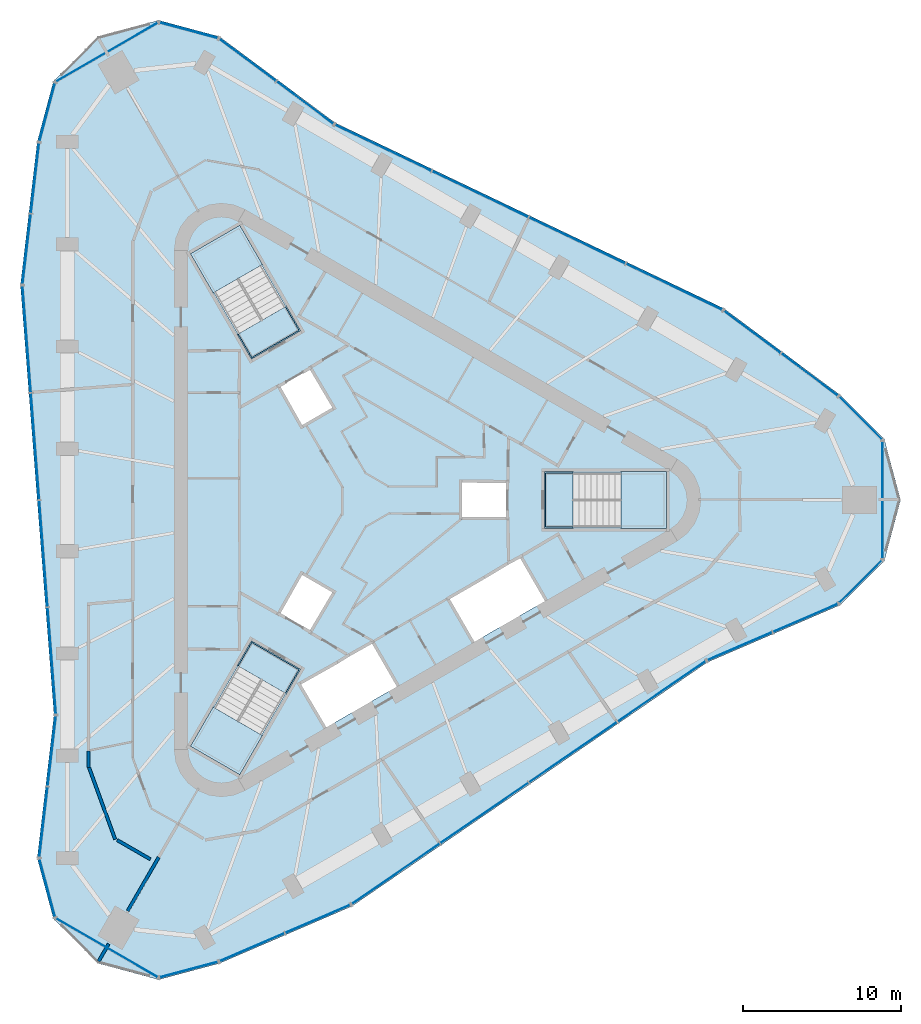
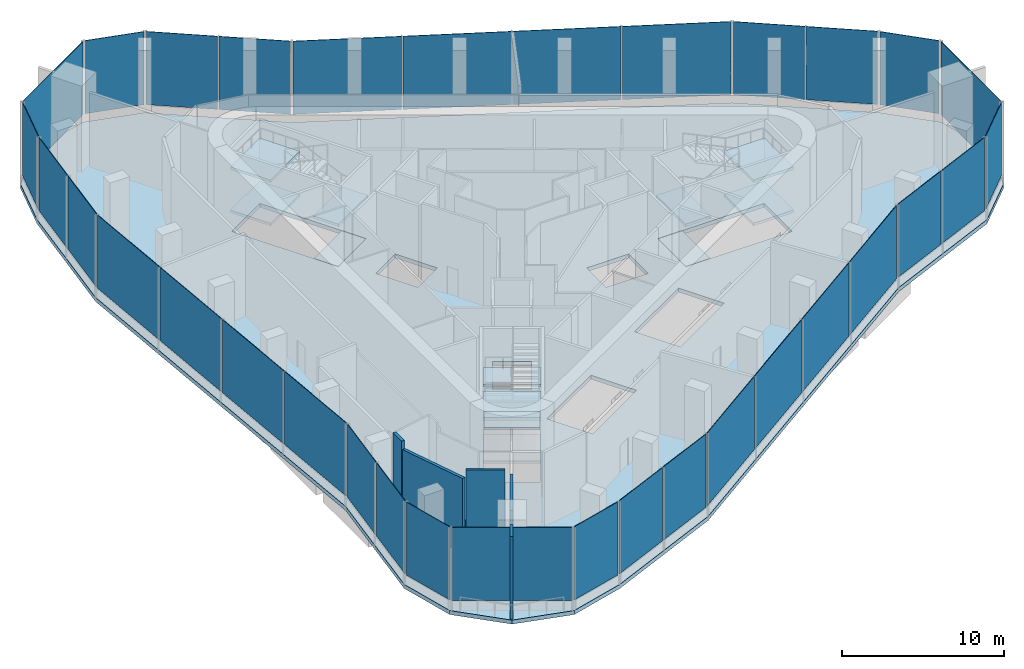
# One storey, part 6 of 13: 33 plates, 13 slabs, 5 walls, 21 elements without a shape of their own.
"""IFC4 building model written with IfcOpenShell, lengths in metres."""

from ifc_helpers import new_model, si_unit, direction, frame, frame_2d, origin, origin_2d, place, context, subcontext, project, spatial, polyline, rectangle, outline, extrude, material, layer, layer_set, type_object, element, aggregate, save


model = new_model("IFC4")

# Units and contexts
model_context = context("Model", 3, precision=1e-05, world=origin(), true_north=direction((0.0, 1.0)))
body_context = subcontext(model_context, "Body", "Model", "MODEL_VIEW")
ifc_project = project(units=[si_unit("LENGTHUNIT", "METRE"), si_unit("AREAUNIT", "SQUARE_METRE"), si_unit("VOLUMEUNIT", "CUBIC_METRE"), si_unit("PLANEANGLEUNIT", "RADIAN"), si_unit("MASSUNIT", "GRAM", prefix="KILO")], contexts=[model_context])

# Site, building, storey
site_placement = place(None, origin())
site = spatial("IfcSite", under=ifc_project, at=site_placement, CompositionType="ELEMENT")
building_placement = place(site_placement, origin())
building = spatial("IfcBuilding", under=site, at=building_placement, Name="Tanit Gate Tower", CompositionType="ELEMENT")
storey_placement = place(building_placement, frame((0.0, 0.0, 398.300048828125)))
storey = spatial("IfcBuildingStorey", under=building, at=storey_placement, Name="L91", CompositionType="ELEMENT", Elevation=398.300048828125)

# Curtain wall, plates
ifc_material_1 = material(Name="Aluminium bronze anodised and glass", Category="aluminium")
curtain_wall_type = type_object("IfcCurtainWallType", Name="Curtain wall observation", PredefinedType="NOTDEFINED", material=ifc_material_1)
curtain_wall_1_placement = place(storey_placement, origin())
curtain_wall_1 = element("IfcCurtainWall", 1, at=curtain_wall_1_placement, inside=storey, type_object=curtain_wall_type, Name="Curtain wall L91 NE1", PredefinedType="NOTDEFINED")
ifc_material_2 = material(Name="Glass tinted laminated safety", Category="glass")
ifc_layer_1 = layer(ifc_material_2, 0.0400390625)
ifc_layer_set_1 = layer_set([ifc_layer_1], Name="Glass panel 40 observation")
plate_type = type_object("IfcPlateType", Name="Glass panel 40 observation", PredefinedType="CURTAIN_PANEL", material=ifc_layer_set_1)
plate_1_placement = place(storey_placement, frame((28.042236328125, 7.9228515625, 0.699951171875), z_axis=(0.0, 0.0, 1.0), x_axis=(-0.801987717098, 0.59734052401, 0.0)))
plate_1 = element("IfcPlate", 2, at=plate_1_placement, type_object=plate_type, Name="Glass panel L91 NE1.1", PredefinedType="CURTAIN_PANEL", context=body_context, shape_type="SweptSolid", body=[
    extrude(rectangle(XDim=4.42529296875, YDim=0.0400390625, at=origin_2d()), origin(), (0.0, 0.0, 1.0), 5.5),
])
plate_2_placement = place(storey_placement, frame((24.428955078125, 10.614013671875, 0.699951171875), z_axis=(0.0, 0.0, 1.0), x_axis=(-0.801987717098, 0.59734052401, 0.0)))
plate_2 = element("IfcPlate", 3, at=plate_2_placement, type_object=plate_type, Name="Glass panel L91 NE1.2", PredefinedType="CURTAIN_PANEL", context=body_context, shape_type="SweptSolid", body=[
    extrude(rectangle(XDim=4.425537109375, YDim=0.0400390625, at=origin_2d()), origin(), (0.0, 0.0, 1.0), 5.5),
])
aggregate(curtain_wall_1, [plate_1, plate_2])

curtain_wall_2_placement = place(storey_placement, origin())
curtain_wall_2 = element("IfcCurtainWall", 4, at=curtain_wall_2_placement, inside=storey, type_object=curtain_wall_type, Name="Curtain wall L91 NE2", PredefinedType="NOTDEFINED")
plate_3_placement = place(storey_placement, frame((19.49169921875, 13.4638671875, 0.699951171875), z_axis=(0.0, 0.0, 1.0), x_axis=(-0.902317145415, 0.431072811819, 0.0)))
plate_3 = element("IfcPlate", 5, at=plate_3_placement, type_object=plate_type, Name="Glass panel L91 NE2.1", PredefinedType="CURTAIN_PANEL", context=body_context, shape_type="SweptSolid", body=[
    extrude(rectangle(XDim=6.707763671875, YDim=0.0400390625, at=origin_2d()), origin(), (0.0, 0.0, 1.0), 5.5),
])
plate_4_placement = place(storey_placement, frame((13.3671875, 16.389892578125, 0.699951171875), z_axis=(0.0, 0.0, 1.0), x_axis=(-0.902317145415, 0.431072811819, 0.0)))
plate_4 = element("IfcPlate", 6, at=plate_4_placement, type_object=plate_type, Name="Glass panel L91 NE2.2", PredefinedType="CURTAIN_PANEL", context=body_context, shape_type="SweptSolid", body=[
    extrude(rectangle(XDim=6.707763671875, YDim=0.0400390625, at=origin_2d()), origin(), (0.0, 0.0, 1.0), 5.5),
])
plate_5_placement = place(storey_placement, frame((7.242431640625, 19.31591796875, 0.699951171875), z_axis=(0.0, 0.0, 1.0), x_axis=(-0.902317145415, 0.431072811819, 0.0)))
plate_5 = element("IfcPlate", 7, at=plate_5_placement, type_object=plate_type, Name="Glass panel L91 NE2.3", PredefinedType="CURTAIN_PANEL", context=body_context, shape_type="SweptSolid", body=[
    extrude(rectangle(XDim=6.707763671875, YDim=0.0400390625, at=origin_2d()), origin(), (0.0, 0.0, 1.0), 5.5),
])
plate_6_placement = place(storey_placement, frame((1.11767578125, 22.241943359375, 0.699951171875), z_axis=(0.0, 0.0, 1.0), x_axis=(-0.902317145415, 0.431072811819, 0.0)))
plate_6 = element("IfcPlate", 8, at=plate_6_placement, type_object=plate_type, Name="Glass panel L91 NE2.4", PredefinedType="CURTAIN_PANEL", context=body_context, shape_type="SweptSolid", body=[
    extrude(rectangle(XDim=6.707763671875, YDim=0.0400390625, at=origin_2d()), origin(), (0.0, 0.0, 1.0), 5.5),
])
aggregate(curtain_wall_2, [plate_3, plate_4, plate_5, plate_6])

curtain_wall_3_placement = place(storey_placement, origin())
curtain_wall_3 = element("IfcCurtainWall", 9, at=curtain_wall_3_placement, inside=storey, type_object=curtain_wall_type, Name="Curtain wall L91 NE3", PredefinedType="NOTDEFINED")
plate_7_placement = place(storey_placement, frame((-3.8212890625, 25.093017578125, 0.699951171875), z_axis=(0.0, 0.0, 1.0), x_axis=(-0.801987717098, 0.59734052401, 0.0)))
plate_7 = element("IfcPlate", 10, at=plate_7_placement, type_object=plate_type, Name="Glass panel L91 NE3.1", PredefinedType="CURTAIN_PANEL", context=body_context, shape_type="SweptSolid", body=[
    extrude(rectangle(XDim=4.429931640625, YDim=0.0400390625, at=origin_2d()), origin(), (0.0, 0.0, 1.0), 5.5),
])
plate_8_placement = place(storey_placement, frame((-7.438232421875, 27.787109375, 0.699951171875), z_axis=(0.0, 0.0, 1.0), x_axis=(-0.801987717098, 0.59734052401, 0.0)))
plate_8 = element("IfcPlate", 11, at=plate_8_placement, type_object=plate_type, Name="Glass panel L91 NE3.2", PredefinedType="CURTAIN_PANEL", context=body_context, shape_type="SweptSolid", body=[
    extrude(rectangle(XDim=4.429931640625, YDim=0.0400390625, at=origin_2d()), origin(), (0.0, 0.0, 1.0), 5.5),
])
aggregate(curtain_wall_3, [plate_7, plate_8])

# Curtain wall, plate
curtain_wall_4_placement = place(storey_placement, origin())
curtain_wall_4 = element("IfcCurtainWall", 12, at=curtain_wall_4_placement, inside=storey, type_object=curtain_wall_type, Name="Curtain wall L91 NW.arc1", PredefinedType="NOTDEFINED")
plate_9_placement = place(storey_placement, frame((-11.17041015625, 29.664794921875, 0.699951171875), z_axis=(0.0, 0.0, 1.0), x_axis=(-0.965925826289, 0.258819045103, 0.0)))
plate_9 = element("IfcPlate", 13, at=plate_9_placement, type_object=plate_type, Name="Glass panel L91 NW.arc1.1", PredefinedType="CURTAIN_PANEL", context=body_context, shape_type="SweptSolid", body=[
    extrude(rectangle(XDim=3.75634765625, YDim=0.0400390625, at=origin_2d()), origin(), (0.0, 0.0, 1.0), 5.5),
])
aggregate(curtain_wall_4, [plate_9])

curtain_wall_5_placement = place(storey_placement, origin())
curtain_wall_5 = element("IfcCurtainWall", 14, at=curtain_wall_5_placement, inside=storey, type_object=curtain_wall_type, Name="Curtain wall L91 NW.arc2", PredefinedType="NOTDEFINED")
plate_10_placement = place(storey_placement, frame((-16.330078125, 28.28466796875, 0.699951171875), z_axis=(0.0, 0.0, 1.0), x_axis=(-0.866025403784, -0.5, 0.0)))
plate_10 = element("IfcPlate", 15, at=plate_10_placement, type_object=plate_type, Name="Glass panel L91 NW.arc2.1", PredefinedType="CURTAIN_PANEL", context=body_context, shape_type="SweptSolid", body=[
    extrude(rectangle(XDim=7.387939453125, YDim=0.0400390625, at=origin_2d()), origin(), (0.0, 0.0, 1.0), 5.5),
])
aggregate(curtain_wall_5, [plate_10])

curtain_wall_6_placement = place(storey_placement, origin())
curtain_wall_6 = element("IfcCurtainWall", 16, at=curtain_wall_6_placement, inside=storey, type_object=curtain_wall_type, Name="Curtain wall L91 NW.arc3", PredefinedType="NOTDEFINED")
plate_11_placement = place(storey_placement, frame((-20.107177734375, 24.499267578125, 0.699951171875), z_axis=(0.0, 0.0, 1.0), x_axis=(-0.258819045103, -0.965925826289, 0.0)))
plate_11 = element("IfcPlate", 17, at=plate_11_placement, type_object=plate_type, Name="Glass panel L91 NW.arc3.1", PredefinedType="CURTAIN_PANEL", context=body_context, shape_type="SweptSolid", body=[
    extrude(rectangle(XDim=3.7705078125, YDim=0.0400390625, at=origin_2d()), origin(), (0.0, 0.0, 1.0), 5.5),
])
aggregate(curtain_wall_6, [plate_11])

# Curtain wall, plates
curtain_wall_7_placement = place(storey_placement, origin())
curtain_wall_7 = element("IfcCurtainWall", 18, at=curtain_wall_7_placement, inside=storey, type_object=curtain_wall_type, Name="Curtain wall L91 W1", PredefinedType="NOTDEFINED")
plate_12_placement = place(storey_placement, frame((-20.882568359375, 20.323974609375, 0.699951171875), z_axis=(0.0, 0.0, 1.0), x_axis=(-0.116318209953, -0.993211998535, 0.0)))
plate_12 = element("IfcPlate", 19, at=plate_12_placement, type_object=plate_type, Name="Glass panel L91 W1.1", PredefinedType="CURTAIN_PANEL", context=body_context, shape_type="SweptSolid", body=[
    extrude(rectangle(XDim=4.42529296875, YDim=0.0400390625, at=origin_2d()), origin(), (0.0, 0.0, 1.0), 5.5),
])
plate_13_placement = place(storey_placement, frame((-21.406494140625, 15.84912109375, 0.699951171875), z_axis=(0.0, 0.0, 1.0), x_axis=(-0.116318209953, -0.993211998535, 0.0)))
plate_13 = element("IfcPlate", 20, at=plate_13_placement, type_object=plate_type, Name="Glass panel L91 W1.2", PredefinedType="CURTAIN_PANEL", context=body_context, shape_type="SweptSolid", body=[
    extrude(rectangle(XDim=4.425537109375, YDim=0.0400390625, at=origin_2d()), origin(), (0.0, 0.0, 1.0), 5.5),
])
aggregate(curtain_wall_7, [plate_12, plate_13])

curtain_wall_8_placement = place(storey_placement, origin())
curtain_wall_8 = element("IfcCurtainWall", 21, at=curtain_wall_8_placement, inside=storey, type_object=curtain_wall_type, Name="Curtain wall L91 W2", PredefinedType="NOTDEFINED")
plate_14_placement = place(storey_placement, frame((-21.406005859375, 10.1484375, 0.699951171875), z_axis=(0.0, 0.0, 1.0), x_axis=(0.077838566791, -0.996965976109, 0.0)))
plate_14 = element("IfcPlate", 22, at=plate_14_placement, type_object=plate_type, Name="Glass panel L91 W2.1", PredefinedType="CURTAIN_PANEL", context=body_context, shape_type="SweptSolid", body=[
    extrude(rectangle(XDim=6.707763671875, YDim=0.0400390625, at=origin_2d()), origin(), (0.0, 0.0, 1.0), 5.5),
])
plate_15_placement = place(storey_placement, frame((-20.877685546875, 3.38134765625, 0.699951171875), z_axis=(0.0, 0.0, 1.0), x_axis=(0.077838566791, -0.996965976109, 0.0)))
plate_15 = element("IfcPlate", 23, at=plate_15_placement, type_object=plate_type, Name="Glass panel L91 W2.2", PredefinedType="CURTAIN_PANEL", context=body_context, shape_type="SweptSolid", body=[
    extrude(rectangle(XDim=6.707763671875, YDim=0.0400390625, at=origin_2d()), origin(), (0.0, 0.0, 1.0), 5.5),
])
plate_16_placement = place(storey_placement, frame((-20.349365234375, -3.385986328125, 0.699951171875), z_axis=(0.0, 0.0, 1.0), x_axis=(0.077838566791, -0.996965976109, 0.0)))
plate_16 = element("IfcPlate", 24, at=plate_16_placement, type_object=plate_type, Name="Glass panel L91 W2.3", PredefinedType="CURTAIN_PANEL", context=body_context, shape_type="SweptSolid", body=[
    extrude(rectangle(XDim=6.707763671875, YDim=0.0400390625, at=origin_2d()), origin(), (0.0, 0.0, 1.0), 5.5),
])
plate_17_placement = place(storey_placement, frame((-19.82080078125, -10.153076171875, 0.699951171875), z_axis=(0.0, 0.0, 1.0), x_axis=(0.077838566791, -0.996965976109, 0.0)))
plate_17 = element("IfcPlate", 25, at=plate_17_placement, type_object=plate_type, Name="Glass panel L91 W2.4", PredefinedType="CURTAIN_PANEL", context=body_context, shape_type="SweptSolid", body=[
    extrude(rectangle(XDim=6.707763671875, YDim=0.0400390625, at=origin_2d()), origin(), (0.0, 0.0, 1.0), 5.5),
])
aggregate(curtain_wall_8, [plate_14, plate_15, plate_16, plate_17])

curtain_wall_9_placement = place(storey_placement, origin())
curtain_wall_9 = element("IfcCurtainWall", 26, at=curtain_wall_9_placement, inside=storey, type_object=curtain_wall_type, Name="Curtain wall L91 W3", PredefinedType="NOTDEFINED")
plate_18_placement = place(storey_placement, frame((-19.820556640625, -15.85595703125, 0.699951171875), z_axis=(0.0, 0.0, 1.0), x_axis=(-0.116318209953, -0.993211998535, 0.0)))
plate_18 = element("IfcPlate", 27, at=plate_18_placement, type_object=plate_type, Name="Glass panel L91 W3.1", PredefinedType="CURTAIN_PANEL", context=body_context, shape_type="SweptSolid", body=[
    extrude(rectangle(XDim=4.429931640625, YDim=0.0400390625, at=origin_2d()), origin(), (0.0, 0.0, 1.0), 5.5),
])
plate_19_placement = place(storey_placement, frame((-20.34521484375, -20.335205078125, 0.699951171875), z_axis=(0.0, 0.0, 1.0), x_axis=(-0.116318209953, -0.993211998535, 0.0)))
plate_19 = element("IfcPlate", 28, at=plate_19_placement, type_object=plate_type, Name="Glass panel L91 W3.2", PredefinedType="CURTAIN_PANEL", context=body_context, shape_type="SweptSolid", body=[
    extrude(rectangle(XDim=4.429931640625, YDim=0.0400390625, at=origin_2d()), origin(), (0.0, 0.0, 1.0), 5.5),
])
aggregate(curtain_wall_9, [plate_18, plate_19])

# Curtain wall, plate
curtain_wall_10_placement = place(storey_placement, origin())
curtain_wall_10 = element("IfcCurtainWall", 29, at=curtain_wall_10_placement, inside=storey, type_object=curtain_wall_type, Name="Curtain wall L91 SW.arc1", PredefinedType="NOTDEFINED")
plate_20_placement = place(storey_placement, frame((-20.105224609375, -24.506103515625, 0.699951171875), z_axis=(0.0, 0.0, 1.0), x_axis=(0.258819045103, -0.965925826289, 0.0)))
plate_20 = element("IfcPlate", 30, at=plate_20_placement, type_object=plate_type, Name="Glass panel L91 SW.arc1.1", PredefinedType="CURTAIN_PANEL", context=body_context, shape_type="SweptSolid", body=[
    extrude(rectangle(XDim=3.75634765625, YDim=0.0400390625, at=origin_2d()), origin(), (0.0, 0.0, 1.0), 5.5),
])
aggregate(curtain_wall_10, [plate_20])

curtain_wall_11_placement = place(storey_placement, origin())
curtain_wall_11 = element("IfcCurtainWall", 31, at=curtain_wall_11_placement, inside=storey, type_object=curtain_wall_type, Name="Curtain wall L91 SW.arc2", PredefinedType="NOTDEFINED")
plate_21_placement = place(storey_placement, frame((-16.330078125, -28.28466796875, 0.699951171875), z_axis=(0.0, 0.0, 1.0), x_axis=(0.866025403784, -0.5, 0.0)))
plate_21 = element("IfcPlate", 32, at=plate_21_placement, type_object=plate_type, Name="Glass panel L91 SW.arc2.1", PredefinedType="CURTAIN_PANEL", context=body_context, shape_type="SweptSolid", body=[
    extrude(rectangle(XDim=7.387939453125, YDim=0.0400390625, at=origin_2d()), origin(), (0.0, 0.0, 1.0), 5.5),
])
aggregate(curtain_wall_11, [plate_21])

curtain_wall_12_placement = place(storey_placement, origin())
curtain_wall_12 = element("IfcCurtainWall", 33, at=curtain_wall_12_placement, inside=storey, type_object=curtain_wall_type, Name="Curtain wall L91 SW.arc3", PredefinedType="NOTDEFINED")
plate_22_placement = place(storey_placement, frame((-11.16357421875, -29.6630859375, 0.699951171875), z_axis=(0.0, 0.0, 1.0), x_axis=(0.965925826289, 0.258819045103, 0.0)))
plate_22 = element("IfcPlate", 34, at=plate_22_placement, type_object=plate_type, Name="Glass panel L91 SW.arc3.1", PredefinedType="CURTAIN_PANEL", context=body_context, shape_type="SweptSolid", body=[
    extrude(rectangle(XDim=3.7705078125, YDim=0.0400390625, at=origin_2d()), origin(), (0.0, 0.0, 1.0), 5.5),
])
aggregate(curtain_wall_12, [plate_22])

# Curtain wall, plates
curtain_wall_13_placement = place(storey_placement, origin())
curtain_wall_13 = element("IfcCurtainWall", 35, at=curtain_wall_13_placement, inside=storey, type_object=curtain_wall_type, Name="Curtain wall L91 SE1", PredefinedType="NOTDEFINED")
plate_23_placement = place(storey_placement, frame((-7.15966796875, -28.246826171875, 0.699951171875), z_axis=(0.0, 0.0, 1.0), x_axis=(0.918305927051, 0.395871474525, 0.0)))
plate_23 = element("IfcPlate", 36, at=plate_23_placement, type_object=plate_type, Name="Glass panel L91 SE1.1", PredefinedType="CURTAIN_PANEL", context=body_context, shape_type="SweptSolid", body=[
    extrude(rectangle(XDim=4.42529296875, YDim=0.0400390625, at=origin_2d()), origin(), (0.0, 0.0, 1.0), 5.5),
])
plate_24_placement = place(storey_placement, frame((-3.0224609375, -26.463134765625, 0.699951171875), z_axis=(0.0, 0.0, 1.0), x_axis=(0.918305927051, 0.395871474525, 0.0)))
plate_24 = element("IfcPlate", 37, at=plate_24_placement, type_object=plate_type, Name="Glass panel L91 SE1.2", PredefinedType="CURTAIN_PANEL", context=body_context, shape_type="SweptSolid", body=[
    extrude(rectangle(XDim=4.425537109375, YDim=0.0400390625, at=origin_2d()), origin(), (0.0, 0.0, 1.0), 5.5),
])
aggregate(curtain_wall_13, [plate_23, plate_24])

curtain_wall_14_placement = place(storey_placement, origin())
curtain_wall_14 = element("IfcCurtainWall", 38, at=curtain_wall_14_placement, inside=storey, type_object=curtain_wall_type, Name="Curtain wall L91 SE2", PredefinedType="NOTDEFINED")
plate_25_placement = place(storey_placement, frame((1.914306640625, -23.6123046875, 0.699951171875), z_axis=(0.0, 0.0, 1.0), x_axis=(0.824478578624, 0.56589316429, 0.0)))
plate_25 = element("IfcPlate", 39, at=plate_25_placement, type_object=plate_type, Name="Glass panel L91 SE2.1", PredefinedType="CURTAIN_PANEL", context=body_context, shape_type="SweptSolid", body=[
    extrude(rectangle(XDim=6.707763671875, YDim=0.0400390625, at=origin_2d()), origin(), (0.0, 0.0, 1.0), 5.5),
])
plate_26_placement = place(storey_placement, frame((7.510498046875, -19.771240234375, 0.699951171875), z_axis=(0.0, 0.0, 1.0), x_axis=(0.824478578624, 0.56589316429, 0.0)))
plate_26 = element("IfcPlate", 40, at=plate_26_placement, type_object=plate_type, Name="Glass panel L91 SE2.2", PredefinedType="CURTAIN_PANEL", context=body_context, shape_type="SweptSolid", body=[
    extrude(rectangle(XDim=6.707763671875, YDim=0.0400390625, at=origin_2d()), origin(), (0.0, 0.0, 1.0), 5.5),
])
plate_27_placement = place(storey_placement, frame((13.10693359375, -15.929931640625, 0.699951171875), z_axis=(0.0, 0.0, 1.0), x_axis=(0.824478578624, 0.56589316429, 0.0)))
plate_27 = element("IfcPlate", 41, at=plate_27_placement, type_object=plate_type, Name="Glass panel L91 SE2.3", PredefinedType="CURTAIN_PANEL", context=body_context, shape_type="SweptSolid", body=[
    extrude(rectangle(XDim=6.707763671875, YDim=0.0400390625, at=origin_2d()), origin(), (0.0, 0.0, 1.0), 5.5),
])
plate_28_placement = place(storey_placement, frame((18.703369140625, -12.0888671875, 0.699951171875), z_axis=(0.0, 0.0, 1.0), x_axis=(0.824478578624, 0.56589316429, 0.0)))
plate_28 = element("IfcPlate", 42, at=plate_28_placement, type_object=plate_type, Name="Glass panel L91 SE2.4", PredefinedType="CURTAIN_PANEL", context=body_context, shape_type="SweptSolid", body=[
    extrude(rectangle(XDim=6.707763671875, YDim=0.0400390625, at=origin_2d()), origin(), (0.0, 0.0, 1.0), 5.5),
])
aggregate(curtain_wall_14, [plate_25, plate_26, plate_27, plate_28])

curtain_wall_15_placement = place(storey_placement, origin())
curtain_wall_15 = element("IfcCurtainWall", 43, at=curtain_wall_15_placement, inside=storey, type_object=curtain_wall_type, Name="Curtain wall L91 SE3", PredefinedType="NOTDEFINED")
plate_29_placement = place(storey_placement, frame((23.641845703125, -9.237060546875, 0.699951171875), z_axis=(0.0, 0.0, 1.0), x_axis=(0.918305927051, 0.395871474525, 0.0)))
plate_29 = element("IfcPlate", 44, at=plate_29_placement, type_object=plate_type, Name="Glass panel L91 SE3.1", PredefinedType="CURTAIN_PANEL", context=body_context, shape_type="SweptSolid", body=[
    extrude(rectangle(XDim=4.429931640625, YDim=0.0400390625, at=origin_2d()), origin(), (0.0, 0.0, 1.0), 5.5),
])
plate_30_placement = place(storey_placement, frame((27.783447265625, -7.45166015625, 0.699951171875), z_axis=(0.0, 0.0, 1.0), x_axis=(0.918305927051, 0.395871474525, 0.0)))
plate_30 = element("IfcPlate", 45, at=plate_30_placement, type_object=plate_type, Name="Glass panel L91 SE3.2", PredefinedType="CURTAIN_PANEL", context=body_context, shape_type="SweptSolid", body=[
    extrude(rectangle(XDim=4.429931640625, YDim=0.0400390625, at=origin_2d()), origin(), (0.0, 0.0, 1.0), 5.5),
])
aggregate(curtain_wall_15, [plate_29, plate_30])

# Curtain wall, plate
curtain_wall_16_placement = place(storey_placement, origin())
curtain_wall_16 = element("IfcCurtainWall", 46, at=curtain_wall_16_placement, inside=storey, type_object=curtain_wall_type, Name="Curtain wall L91 E.arc1", PredefinedType="NOTDEFINED")
plate_31_placement = place(storey_placement, frame((31.275634765625, -5.15869140625, 0.699951171875), z_axis=(0.0, 0.0, 1.0), x_axis=(0.707106781187, 0.707106781187, 0.0)))
plate_31 = element("IfcPlate", 47, at=plate_31_placement, type_object=plate_type, Name="Glass panel L91 E.arc1.1", PredefinedType="CURTAIN_PANEL", context=body_context, shape_type="SweptSolid", body=[
    extrude(rectangle(XDim=3.75634765625, YDim=0.0400390625, at=origin_2d()), origin(), (0.0, 0.0, 1.0), 5.5),
])
aggregate(curtain_wall_16, [plate_31])

curtain_wall_17_placement = place(storey_placement, origin())
curtain_wall_17 = element("IfcCurtainWall", 48, at=curtain_wall_17_placement, inside=storey, type_object=curtain_wall_type, Name="Curtain wall L91 E.arc2", PredefinedType="NOTDEFINED")
plate_32_placement = place(storey_placement, frame((32.66015625, 0.0, 0.699951171875), z_axis=(0.0, 0.0, 1.0), x_axis=(0.0, 1.0, 0.0)))
plate_32 = element("IfcPlate", 49, at=plate_32_placement, type_object=plate_type, Name="Glass panel L91 E.arc2.1", PredefinedType="CURTAIN_PANEL", context=body_context, shape_type="SweptSolid", body=[
    extrude(rectangle(XDim=7.387939453125, YDim=0.0400390625, at=origin_2d()), origin(), (0.0, 0.0, 1.0), 5.5),
])
aggregate(curtain_wall_17, [plate_32])

curtain_wall_18_placement = place(storey_placement, origin())
curtain_wall_18 = element("IfcCurtainWall", 50, at=curtain_wall_18_placement, inside=storey, type_object=curtain_wall_type, Name="Curtain wall L91 E.arc3", PredefinedType="NOTDEFINED")
plate_33_placement = place(storey_placement, frame((31.270751953125, 5.16357421875, 0.699951171875), z_axis=(0.0, 0.0, 1.0), x_axis=(-0.707106781187, 0.707106781187, 0.0)))
plate_33 = element("IfcPlate", 51, at=plate_33_placement, type_object=plate_type, Name="Glass panel L91 E.arc3.1", PredefinedType="CURTAIN_PANEL", context=body_context, shape_type="SweptSolid", body=[
    extrude(rectangle(XDim=3.7705078125, YDim=0.0400390625, at=origin_2d()), origin(), (0.0, 0.0, 1.0), 5.5),
])
aggregate(curtain_wall_18, [plate_33])

# Stair, slabs
ifc_material_3 = material(Name="Concrete C40/50", Category="concrete")
stair_type = type_object("IfcStairType", Name="INT-STAIR-EXIT", PredefinedType="HALF_TURN_STAIR", material=ifc_material_3)
stair_1_placement = place(storey_placement, origin())
stair_1 = element("IfcStair", 52, at=stair_1_placement, inside=storey, type_object=stair_type, Name="L91 STAIR S1", PredefinedType="HALF_TURN_STAIR")
ifc_material_4 = material(Name="Concrete C40/50", Category="concrete")
ifc_layer_2 = layer(ifc_material_4, 0.199951171875)
ifc_layer_set_2 = layer_set([ifc_layer_2], Name="INT-STAIR-LANDING")
slab_type_1 = type_object("IfcSlabType", Name="INT-STAIR-LANDING", PredefinedType="LANDING", material=ifc_layer_set_2)
slab_1_placement = place(storey_placement, frame((0.0, 0.0, 1.425048828125)))
slab_1 = element("IfcSlab", 53, at=slab_1_placement, type_object=slab_type_1, Name="S1 landing 1", PredefinedType="LANDING", context=body_context, shape_type="SweptSolid", body=[
    extrude(outline(polyline([(16.135986328125, -1.800048828125), (19.0, -1.800048828125), (19.0, 1.800048828125), (16.135986328125, 1.800048828125), (16.135986328125, -1.800048828125)])), origin(), (0.0, 0.0, 1.0), 0.199951171875),
])
slab_2_placement = place(storey_placement, frame((0.0, 0.0, 3.050048828125)))
slab_2 = element("IfcSlab", 54, at=slab_2_placement, type_object=slab_type_1, Name="S1 landing 2", PredefinedType="LANDING", context=body_context, shape_type="SweptSolid", body=[
    extrude(outline(polyline([(11.300048828125, -1.800048828125), (13.10498046875, -1.800048828125), (13.10498046875, 1.800048828125), (11.300048828125, 1.800048828125), (11.300048828125, -1.800048828125)])), origin(), (0.0, 0.0, 1.0), 0.199951171875),
])
slab_3_placement = place(storey_placement, frame((0.0, 0.0, 4.675048828125)))
slab_3 = element("IfcSlab", 55, at=slab_3_placement, type_object=slab_type_1, Name="S1 landing 3", PredefinedType="LANDING", context=body_context, shape_type="SweptSolid", body=[
    extrude(outline(polyline([(16.135986328125, -1.800048828125), (19.0, -1.800048828125), (19.0, 1.800048828125), (16.135986328125, 1.800048828125), (16.135986328125, -1.800048828125)])), origin(), (0.0, 0.0, 1.0), 0.199951171875),
])
aggregate(stair_1, [slab_1, slab_2, slab_3])

# Slab
slab_4_placement = place(storey_placement, frame((0.0, 0.0, -0.199951171875)))
element("IfcSlab", 56, at=slab_4_placement, inside=storey, type_object=slab_type_1, Name="S1 floor landing", PredefinedType="LANDING", context=body_context, shape_type="SweptSolid", body=[
    extrude(outline(polyline([(11.3798828125, -1.719970703125), (13.10498046875, -1.719970703125), (13.10498046875, 1.719970703125), (11.3798828125, 1.719970703125), (11.3798828125, -1.719970703125)])), origin(), (0.0, 0.0, 1.0), 0.199951171875),
])

# Stair, slabs
stair_2_placement = place(storey_placement, origin())
stair_2 = element("IfcStair", 57, at=stair_2_placement, inside=storey, type_object=stair_type, Name="L91 STAIR S2", PredefinedType="HALF_TURN_STAIR")
slab_5_placement = place(storey_placement, frame((0.0, 0.0, 1.425048828125)))
slab_5 = element("IfcSlab", 58, at=slab_5_placement, type_object=slab_type_1, Name="S2 landing 1", PredefinedType="LANDING", context=body_context, shape_type="SweptSolid", body=[
    extrude(outline(polyline([(-6.5078125, 14.871826171875), (-7.941162109375, 17.3544921875), (-11.058837890625, 15.554443359375), (-9.62548828125, 13.07177734375), (-6.5078125, 14.871826171875)])), origin(), (0.0, 0.0, 1.0), 0.199951171875),
])
slab_6_placement = place(storey_placement, frame((0.0, 0.0, 3.050048828125)))
slab_6 = element("IfcSlab", 59, at=slab_6_placement, type_object=slab_type_1, Name="S2 landing 2", PredefinedType="LANDING", context=body_context, shape_type="SweptSolid", body=[
    extrude(outline(polyline([(-4.091064453125, 10.68603515625), (-4.9931640625, 12.248291015625), (-8.11083984375, 10.448486328125), (-7.208740234375, 8.885986328125), (-4.091064453125, 10.68603515625)])), origin(), (0.0, 0.0, 1.0), 0.199951171875),
])
slab_7_placement = place(storey_placement, frame((0.0, 0.0, 4.675048828125)))
slab_7 = element("IfcSlab", 60, at=slab_7_placement, type_object=slab_type_1, Name="S2 landing 3", PredefinedType="LANDING", context=body_context, shape_type="SweptSolid", body=[
    extrude(outline(polyline([(-6.5078125, 14.871826171875), (-7.941162109375, 17.3544921875), (-11.058837890625, 15.554443359375), (-9.62548828125, 13.07177734375), (-6.5078125, 14.871826171875)])), origin(), (0.0, 0.0, 1.0), 0.199951171875),
])
aggregate(stair_2, [slab_5, slab_6, slab_7])

# Slab
slab_8_placement = place(storey_placement, frame((0.0, 0.0, -0.199951171875)))
element("IfcSlab", 61, at=slab_8_placement, inside=storey, type_object=slab_type_1, Name="S2 floor landing", PredefinedType="LANDING", context=body_context, shape_type="SweptSolid", body=[
    extrude(outline(polyline([(-4.200439453125, 10.71533203125), (-5.0625, 12.20849609375), (-8.04150390625, 10.48828125), (-7.179443359375, 8.995361328125), (-4.200439453125, 10.71533203125)])), origin(), (0.0, 0.0, 1.0), 0.199951171875),
])

# Stair, slabs
stair_3_placement = place(storey_placement, origin())
stair_3 = element("IfcStair", 62, at=stair_3_placement, inside=storey, type_object=stair_type, Name="L91 STAIR S3", PredefinedType="HALF_TURN_STAIR")
slab_9_placement = place(storey_placement, frame((0.0, 0.0, 1.425048828125)))
slab_9 = element("IfcSlab", 63, at=slab_9_placement, type_object=slab_type_1, Name="S3 landing 1", PredefinedType="LANDING", context=body_context, shape_type="SweptSolid", body=[
    extrude(outline(polyline([(-9.626953125, -13.07421875), (-11.058837890625, -15.554443359375), (-7.941162109375, -17.3544921875), (-6.509033203125, -14.874267578125), (-9.626953125, -13.07421875)])), origin(), (0.0, 0.0, 1.0), 0.199951171875),
])
slab_10_placement = place(storey_placement, frame((0.0, 0.0, 3.050048828125)))
slab_10 = element("IfcSlab", 64, at=slab_10_placement, type_object=slab_type_1, Name="S3 landing 2", PredefinedType="LANDING", context=body_context, shape_type="SweptSolid", body=[
    extrude(outline(polyline([(-7.208740234375, -8.885986328125), (-8.111328125, -10.44921875), (-4.99365234375, -12.249267578125), (-4.091064453125, -10.68603515625), (-7.208740234375, -8.885986328125)])), origin(), (0.0, 0.0, 1.0), 0.199951171875),
])
slab_11_placement = place(storey_placement, frame((0.0, 0.0, 4.675048828125)))
slab_11 = element("IfcSlab", 65, at=slab_11_placement, type_object=slab_type_1, Name="S3 landing 3", PredefinedType="LANDING", context=body_context, shape_type="SweptSolid", body=[
    extrude(outline(polyline([(-9.626953125, -13.07421875), (-11.058837890625, -15.554443359375), (-7.941162109375, -17.3544921875), (-6.509033203125, -14.874267578125), (-9.626953125, -13.07421875)])), origin(), (0.0, 0.0, 1.0), 0.199951171875),
])
aggregate(stair_3, [slab_9, slab_10, slab_11])

# Slabs
slab_12_placement = place(storey_placement, frame((0.0, 0.0, -0.199951171875)))
element("IfcSlab", 66, at=slab_12_placement, inside=storey, type_object=slab_type_1, Name="S3 floor landing", PredefinedType="LANDING", context=body_context, shape_type="SweptSolid", body=[
    extrude(outline(polyline([(-7.179443359375, -8.995361328125), (-8.0419921875, -10.4892578125), (-5.06298828125, -12.209228515625), (-4.200439453125, -10.71533203125), (-7.179443359375, -8.995361328125)])), origin(), (0.0, 0.0, 1.0), 0.199951171875),
])
ifc_material_5 = material(Name="Concrete C35/45", Category="concrete")
ifc_layer_3 = layer(ifc_material_5, 0.300048828125)
ifc_layer_set_3 = layer_set([ifc_layer_3], Name="OBSERVATION FLOOR SLAB 300 C35/45")
slab_type_2 = type_object("IfcSlabType", Name="OBSERVATION FLOOR SLAB 300 C35/45", PredefinedType="FLOOR", material=ifc_layer_set_3)
slab_13_placement = place(storey_placement, frame((0.0, 0.0, -0.300048828125)))
element("IfcSlab", 67, at=slab_13_placement, inside=storey, type_object=slab_type_2, Name="FLOOR SLAB L91", PredefinedType="FLOOR", context=body_context, shape_type="SweptSolid", body=[
    extrude(outline(polyline([(29.959716796875, 6.644287109375), (32.767822265625, 3.836181640625), (33.795654296875, 0.0), (32.767822265625, -3.836181640625), (29.959716796875, -6.644287109375), (21.5927734375, -10.251220703125), (-0.858642578125, -25.6611328125), (-9.2255859375, -29.26806640625), (-13.061767578125, -30.2958984375), (-16.89794921875, -29.26806640625), (-19.7060546875, -26.459716796875), (-20.73388671875, -22.62353515625), (-19.67431640625, -13.57421875), (-21.793701171875, 13.57421875), (-20.73388671875, 22.62353515625), (-19.7060546875, 26.459716796875), (-16.89794921875, 29.26806640625), (-13.061767578125, 30.2958984375), (-9.2255859375, 29.26806640625), (-1.91845703125, 23.825439453125), (22.652587890625, 12.0869140625), (29.959716796875, 6.644287109375)]), holes=[polyline([(11.3701171875, -1.72998046875), (11.3701171875, 1.72998046875), (18.929931640625, 1.72998046875), (18.929931640625, -1.72998046875), (11.3701171875, -1.72998046875)]), polyline([(5.14404296875, -6.2099609375), (9.82080078125, -3.510009765625), (11.44580078125, -6.324462890625), (6.76904296875, -9.0244140625), (5.14404296875, -6.2099609375)]), polyline([(6.0, -1.199951171875), (6.0, 1.199951171875), (9.0, 1.199951171875), (9.0, -1.199951171875), (6.0, -1.199951171875)]), polyline([(-4.208984375, -11.60986328125), (0.467529296875, -8.909912109375), (2.092529296875, -11.724609375), (-2.583984375, -14.424560546875), (-4.208984375, -11.60986328125)]), polyline([(-4.039306640625, 4.59619140625), (-5.539306640625, 7.194091796875), (-3.460693359375, 8.394287109375), (-1.960693359375, 5.796142578125), (-4.039306640625, 4.59619140625)]), polyline([(-1.960693359375, -5.796142578125), (-3.460693359375, -8.394287109375), (-5.539306640625, -7.194091796875), (-4.039306640625, -4.59619140625), (-1.960693359375, -5.796142578125)]), polyline([(-7.18310546875, 8.981689453125), (-10.963134765625, 15.52880859375), (-7.966796875, 17.2587890625), (-4.186767578125, 10.711669921875), (-7.18310546875, 8.981689453125)]), polyline([(-7.18310546875, -8.981689453125), (-4.186767578125, -10.711669921875), (-7.966796875, -17.2587890625), (-10.963134765625, -15.52880859375), (-7.18310546875, -8.981689453125)])]), origin(), (0.0, 0.0, 1.0), 0.300048828125),
])

# Walls
ifc_material_6 = material(Name="Fire-rated gypsum board partition")
ifc_layer_4 = layer(ifc_material_6, 0.199951171875)
ifc_layer_set_4 = layer_set([ifc_layer_4], Name="INT-WALL-COMPARTMENT")
wall_type = type_object("IfcWallType", Name="INT-WALL-COMPARTMENT", PredefinedType="PARTITIONING", material=ifc_layer_set_4)
wall_1_placement = place(storey_placement, frame((-17.5, -16.89306640625, 0.0), z_axis=(0.0, 0.0, 1.0), x_axis=(0.0, 1.0, 0.0)))
element("IfcWall", 68, at=wall_1_placement, inside=storey, type_object=wall_type, Name="Wall Compartment W111", PredefinedType="PARTITIONING", context=body_context, shape_type="SweptSolid", body=[
    extrude(rectangle(XDim=1.05224609375, YDim=0.199951171875, at=frame_2d((0.526123046875, 0.0))), origin(), (0.0, 0.0, 1.0), 6.199951171875),
])
wall_2_placement = place(storey_placement, frame((-17.4658203125, -16.88720703125, 0.0), z_axis=(0.0, 0.0, 1.0), x_axis=(0.342054816013, -0.939680000235, 0.0)))
element("IfcWall", 69, at=wall_2_placement, inside=storey, type_object=wall_type, Name="Wall Compartment W112", PredefinedType="PARTITIONING", context=body_context, shape_type="SweptSolid", body=[
    extrude(rectangle(XDim=4.84130859375, YDim=0.199951171875, at=frame_2d((2.420654296875, 0.0))), origin(), (0.0, 0.0, 1.0), 5.570068359375),
])
wall_3_placement = place(storey_placement, frame((-15.687744140625, -21.480224609375, 0.0), z_axis=(0.0, 0.0, 1.0), x_axis=(0.866041403502, -0.499972286653, 0.0)))
element("IfcWall", 70, at=wall_3_placement, inside=storey, type_object=wall_type, Name="Wall Compartment W113", PredefinedType="PARTITIONING", context=body_context, shape_type="SweptSolid", body=[
    extrude(rectangle(XDim=2.425048828125, YDim=0.199951171875, at=frame_2d((1.21240234375, 0.0))), origin(), (0.0, 0.0, 1.0), 6.199951171875),
])
wall_4_placement = place(storey_placement, frame((-16.857666015625, -29.138427734375, 0.0), z_axis=(0.0, 0.0, 1.0), x_axis=(0.499950289094, 0.866054102487, 0.0)))
element("IfcWall", 71, at=wall_4_placement, inside=storey, type_object=wall_type, Name="Wall Compartment W115", PredefinedType="PARTITIONING", context=body_context, shape_type="SweptSolid", body=[
    extrude(rectangle(XDim=1.267822265625, YDim=0.199951171875, at=frame_2d((0.6337890625, 0.0))), origin(), (0.0, 0.0, 1.0), 6.199951171875),
])
wall_5_placement = place(storey_placement, frame((-15.02392578125, -25.962158203125, 0.0), z_axis=(0.0, 0.0, 1.0), x_axis=(0.500004108169, 0.866023031919, 0.0)))
element("IfcWall", 72, at=wall_5_placement, inside=storey, type_object=wall_type, Name="Wall Compartment W116", PredefinedType="PARTITIONING", context=body_context, shape_type="SweptSolid", body=[
    extrude(rectangle(XDim=3.9267578125, YDim=0.199951171875, at=frame_2d((1.96337890625, 0.0))), origin(), (0.0, 0.0, 1.0), 5.570068359375),
])

save(model, "model.ifc")
